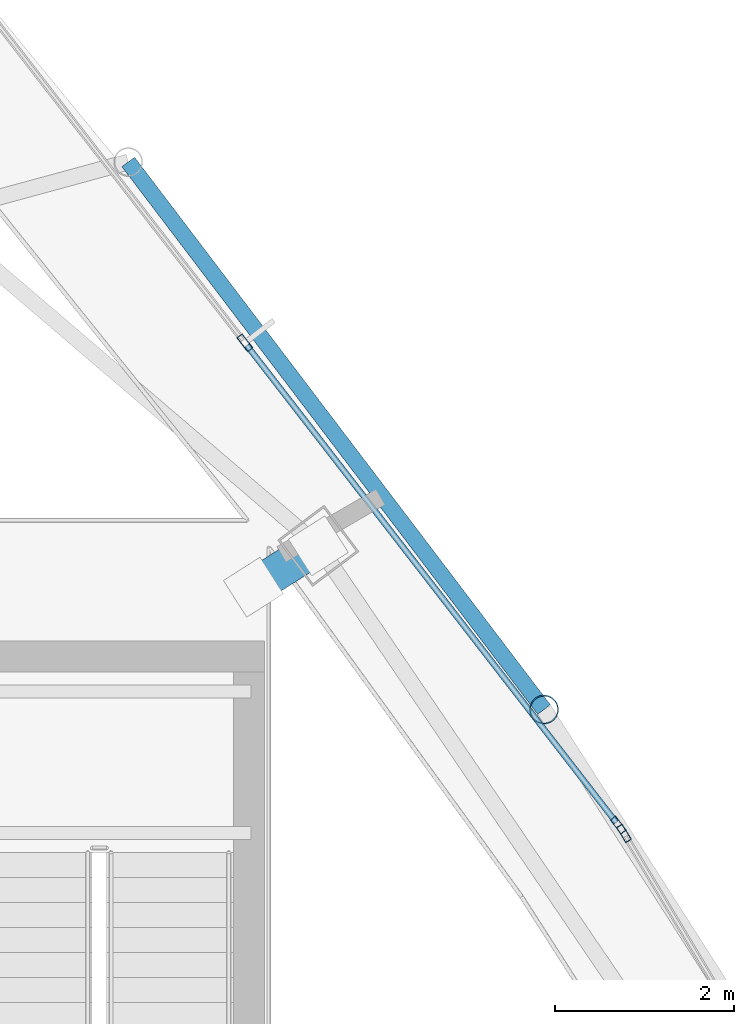
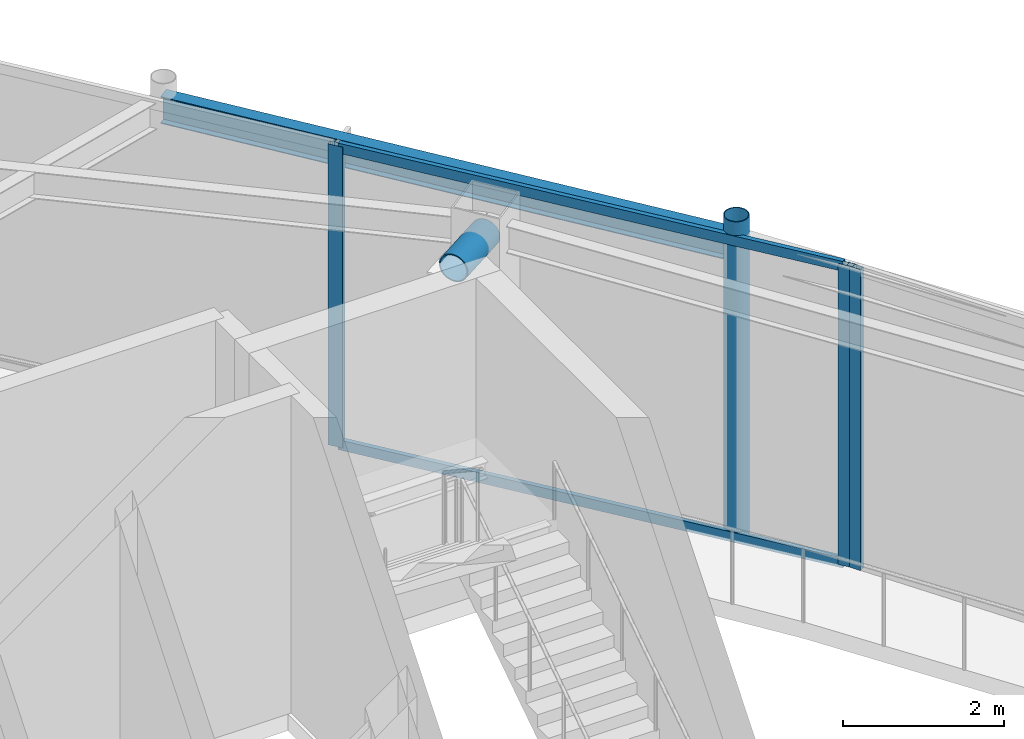
# One storey, part 10 of 20: 7 members, 1 beam, 2 elements without a shape of their own.
"""IFC4 building model written with IfcOpenShell, lengths in metres."""

from ifc_helpers import new_model, si_unit, direction, frame, origin, origin_2d, place, context, subcontext, project, spatial, hollow_rectangle, hollow_circle, i_section, extrude, material, layer, layer_set, material_profile, profile_set, type_object, element, aggregate, save


model = new_model("IFC4")

# Units and contexts
model_context = context("Model", 3, precision=1e-05, world=origin(), true_north=direction((0.0, 1.0)))
body_context = subcontext(model_context, "Body", "Model", "MODEL_VIEW")
ifc_project = project(units=[si_unit("LENGTHUNIT", "METRE"), si_unit("AREAUNIT", "SQUARE_METRE"), si_unit("VOLUMEUNIT", "CUBIC_METRE"), si_unit("PLANEANGLEUNIT", "RADIAN"), si_unit("MASSUNIT", "GRAM", prefix="KILO")], contexts=[model_context])

# Site, building, storey
site_placement = place(None, origin())
site = spatial("IfcSite", under=ifc_project, at=site_placement, CompositionType="ELEMENT")
building_placement = place(site_placement, origin())
building = spatial("IfcBuilding", under=site, at=building_placement, Name="Orvanel Arch Residences", CompositionType="ELEMENT")
storey_placement = place(building_placement, frame((0.0, 0.0, 305.300048828125)))
storey = spatial("IfcBuildingStorey", under=building, at=storey_placement, Name="L85", CompositionType="ELEMENT", Elevation=305.300048828125)

# Curtain wall, member
ifc_material_1 = material(Name="Bronze-anodised aluminium AA6063-T6", Category="aluminium")
ifc_layer = layer(ifc_material_1, 0.2099609375)
ifc_layer_set = layer_set([ifc_layer], Name="Bronze-anodised aluminium AA6063-T6")
curtain_wall_type = type_object("IfcCurtainWallType", Name="CW7-TOP-SYS", PredefinedType="NOTDEFINED", material=ifc_layer_set)
curtain_wall_1_placement = place(storey_placement, origin())
curtain_wall_1 = element("IfcCurtainWall", 1, at=curtain_wall_1_placement, inside=storey, type_object=curtain_wall_type, Name="L85 CW7-TOP-SYS Unitised Curtain Wall", PredefinedType="NOTDEFINED")
ifc_material_profile_1 = material_profile(ifc_material_1, hollow_rectangle(XDim=0.074951171875, YDim=0.199951171875, WallThickness=0.0048828125, at=origin_2d()), Name="ALU200x75x5")
ifc_profile_set_1 = profile_set([ifc_material_profile_1], Name="Bronze-anodised aluminium AA6063-T6")
member_type_1 = type_object("IfcMemberType", Name="MUL-200x75", PredefinedType="MULLION", material=ifc_profile_set_1)
member_1_placement = place(storey_placement, frame((43.773193359375, 31.892822265625, 0.0), z_axis=(0.0, 0.0, 1.0), x_axis=(-0.857522096821, -0.514447133788, 0.0)))
member_1 = element("IfcMember", 2, at=member_1_placement, type_object=member_type_1, Name="CW-S7 mullion 2", PredefinedType="MULLION", context=body_context, shape_type="SweptSolid", body=[
    extrude(hollow_rectangle(XDim=0.074951171875, YDim=0.199951171875, WallThickness=0.0048828125, at=origin_2d()), origin(), (0.0, 0.0, 1.0), 4.550048828125),
])
aggregate(curtain_wall_1, [member_1])

# Curtain wall, members
curtain_wall_2_placement = place(storey_placement, origin())
curtain_wall_2 = element("IfcCurtainWall", 3, at=curtain_wall_2_placement, inside=storey, type_object=curtain_wall_type, Name="L85 CW7-TOP-SYS Unitised Curtain Wall", PredefinedType="NOTDEFINED")
member_2_placement = place(storey_placement, frame((43.708984375, 31.987548828125, 0.0), z_axis=(0.0, 0.0, 1.0), x_axis=(-0.790656592833, -0.612259873102, 0.0)))
member_2 = element("IfcMember", 4, at=member_2_placement, type_object=member_type_1, Name="CW-S7 mullion 1", PredefinedType="MULLION", context=body_context, shape_type="SweptSolid", body=[
    extrude(hollow_rectangle(XDim=0.074951171875, YDim=0.199951171875, WallThickness=0.0048828125, at=origin_2d()), origin(), (0.0, 0.0, 1.0), 4.550048828125),
])
member_3_placement = place(storey_placement, frame((39.529541015625, 37.385009765625, 0.0), z_axis=(0.0, 0.0, 1.0), x_axis=(-0.790656592833, -0.612259873102, 0.0)))
member_3 = element("IfcMember", 5, at=member_3_placement, type_object=member_type_1, Name="CW-S7 mullion 2", PredefinedType="MULLION", context=body_context, shape_type="SweptSolid", body=[
    extrude(hollow_rectangle(XDim=0.074951171875, YDim=0.199951171875, WallThickness=0.0048828125, at=origin_2d()), origin(), (0.0, 0.0, 1.0), 4.550048828125),
])

# Beam
ifc_material_2 = material(Name="Structural steel AS/NZS 3679.1 Grade 300 (300 MPa)", Category="steel")
ifc_material_profile_2 = material_profile(ifc_material_2, i_section(OverallWidth=0.177978515625, OverallDepth=0.406005859375, WebThickness=0.0078125, FlangeThickness=0.0126953125, at=origin_2d()), Name="410UB59.7")
ifc_profile_set_2 = profile_set([ifc_material_profile_2], Name="Structural steel AS/NZS 3679.1 Grade 300 (300 MPa)")
beam_type = type_object("IfcBeamType", Name="OB-410UB-EXT", PredefinedType="SPANDREL", material=ifc_profile_set_2)
beam_placement = place(storey_placement, frame((42.87890625, 33.280029296875, 4.346923828125), z_axis=(-0.604759912546, 0.796407840354, 0.0), x_axis=(-0.796407840354, -0.604759912546, 0.0)))
element("IfcBeam", 6, at=beam_placement, inside=storey, type_object=beam_type, Name="L85 Outer Perimeter Floor Ring Beam 11", PredefinedType="SPANDREL", context=body_context, shape_type="SweptSolid", body=[
    extrude(i_section(OverallWidth=0.177978515625, OverallDepth=0.406005859375, WebThickness=0.0078125, FlangeThickness=0.0126953125, at=origin_2d()), origin(), (0.0, 0.0, 1.0), 7.697021484375),
])

# Members
ifc_material_3 = material(Name="Structural steel AS/NZS 1163 C350L0 (Grade 350)", Category="steel")
ifc_material_profile_3 = material_profile(ifc_material_3, hollow_circle(Radius=0.202880859375, WallThickness=0.01611328125, at=origin_2d()), Name="CHS406x16")
ifc_profile_set_3 = profile_set([ifc_material_profile_3], Name="Structural steel AS/NZS 1163 C350L0 (Grade 350)")
member_type_2 = type_object("IfcMemberType", Name="RF-406CHS", PredefinedType="RAFTER", material=ifc_profile_set_3)
member_4_placement = place(storey_placement, frame((39.625, 34.64990234375, 4.300048828125), z_axis=(0.843416501634, 0.537260276562, 0.0), x_axis=(-0.537260276562, 0.843416501634, 0.0)))
element("IfcMember", 7, at=member_4_placement, inside=storey, type_object=member_type_2, Name="L85 Winter-Garden Conservatory Gallery Rafter 04", PredefinedType="RAFTER", context=body_context, shape_type="SweptSolid", body=[
    extrude(hollow_circle(Radius=0.202880859375, WallThickness=0.01611328125, at=origin_2d()), origin(), (0.0, 0.0, 1.0), 0.862060546875),
])
ifc_material_profile_4 = material_profile(ifc_material_3, hollow_circle(Radius=0.162109375, WallThickness=0.0126953125, at=origin_2d()), Name="CHS324x12.7")
ifc_profile_set_4 = profile_set([ifc_material_profile_4], Name="Structural steel AS/NZS 1163 C350L0 (Grade 350)")
member_type_3 = type_object("IfcMemberType", Name="ST-324CHS-EXT", PredefinedType="STRUT", material=ifc_profile_set_4)
member_5_placement = place(storey_placement, frame((42.87890625, 33.280029296875, 0.0), z_axis=(0.0, 0.0, 1.0), x_axis=(1.0, 0.0, 0.0)))
element("IfcMember", 8, at=member_5_placement, inside=storey, type_object=member_type_3, Name="L85 Outer Perimeter Frame Post 11", PredefinedType="STRUT", context=body_context, shape_type="SweptSolid", body=[
    extrude(hollow_circle(Radius=0.162109375, WallThickness=0.0126953125, at=origin_2d()), origin(), (0.0, 0.0, 1.0), 4.800048828125),
])

# Member
ifc_material_profile_5 = material_profile(ifc_material_1, hollow_rectangle(XDim=0.06494140625, YDim=0.14990234375, WallThickness=0.00390625, at=origin_2d()), Name="ALU150x65x4")
ifc_profile_set_5 = profile_set([ifc_material_profile_5], Name="Bronze-anodised aluminium AA6063-T6")
member_type_4 = type_object("IfcMemberType", Name="TRN-150x65", PredefinedType="USERDEFINED", material=ifc_profile_set_5)
member_6_placement = place(storey_placement, frame((43.68603515625, 32.017333984375, 0.032470703125), z_axis=(-0.612246853971, 0.790666674271, 0.0), x_axis=(-0.790666674271, -0.612246853971, 0.0)))
member_6 = element("IfcMember", 9, at=member_6_placement, type_object=member_type_4, Name="CW-S7 transom 1.1", ObjectType="TRANSOM", PredefinedType="USERDEFINED", context=body_context, shape_type="SweptSolid", body=[
    extrude(hollow_rectangle(XDim=0.06494140625, YDim=0.14990234375, WallThickness=0.00390625, at=origin_2d()), origin(), (0.0, 0.0, 1.0), 6.75146484375),
])

member_7_placement = place(storey_placement, frame((43.68603515625, 32.017333984375, 4.517333984375), z_axis=(-0.612246853971, 0.790666674271, 0.0), x_axis=(-0.790666674271, -0.612246853971, 0.0)))
member_7 = element("IfcMember", 10, at=member_7_placement, type_object=member_type_4, Name="CW-S7 transom 1.2", ObjectType="TRANSOM", PredefinedType="USERDEFINED", context=body_context, shape_type="SweptSolid", body=[
    extrude(hollow_rectangle(XDim=0.06494140625, YDim=0.14990234375, WallThickness=0.00390625, at=origin_2d()), origin(), (0.0, 0.0, 1.0), 6.75146484375),
])

aggregate(curtain_wall_2, [member_2, member_3, member_6, member_7])

save(model, "model.ifc")
